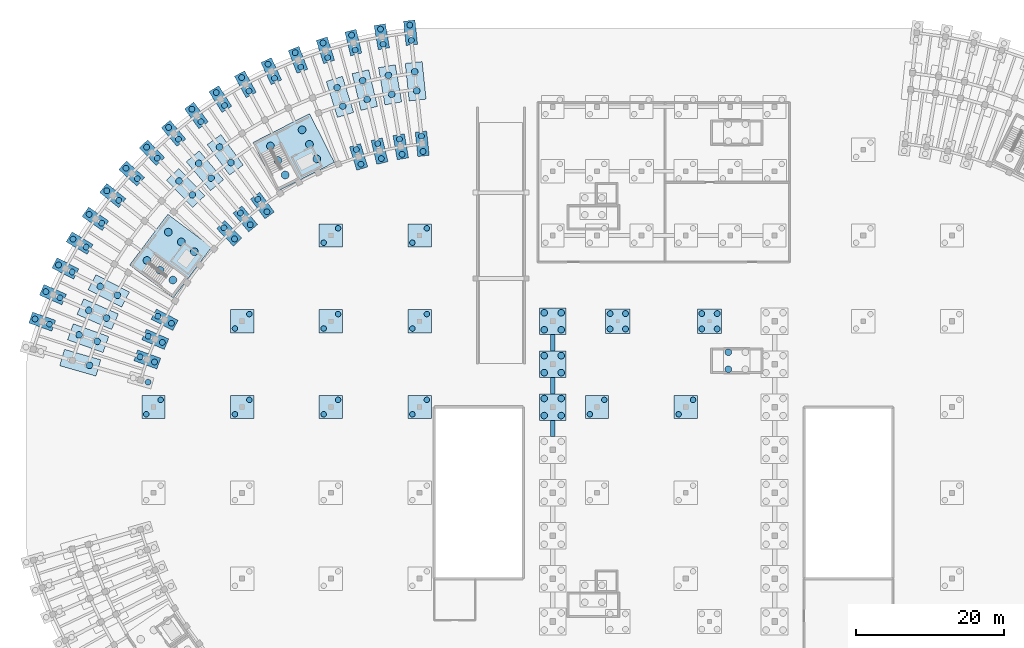
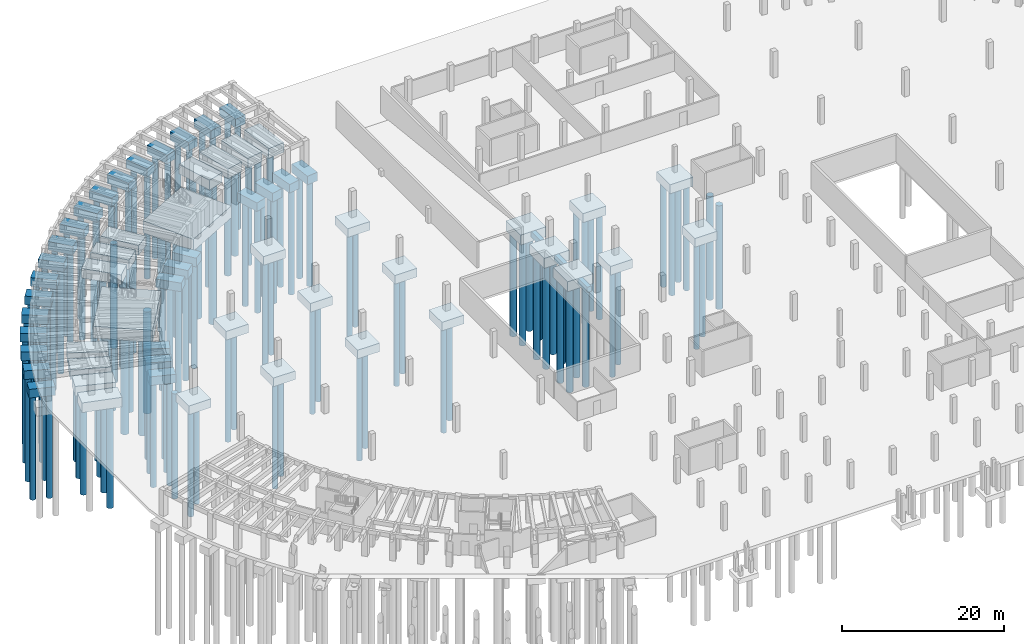
# One storey, part 3 of 29: 134 piles, 60 footings.
"""IFC4 building model written with IfcOpenShell, lengths in metres."""

from ifc_helpers import new_model, si_unit, direction, frame, origin, origin_2d, place, context, subcontext, project, spatial, rectangle, circle, extrude, material, material_profile, profile_set, type_object, element, save


model = new_model("IFC4")

# Units and contexts
model_context = context("Model", 3, precision=1e-05, world=origin(), true_north=direction((0.0, 1.0)))
body_context = subcontext(model_context, "Body", "Model", "MODEL_VIEW")
ifc_project = project(units=[si_unit("LENGTHUNIT", "METRE"), si_unit("AREAUNIT", "SQUARE_METRE"), si_unit("VOLUMEUNIT", "CUBIC_METRE"), si_unit("PLANEANGLEUNIT", "RADIAN"), si_unit("MASSUNIT", "GRAM", prefix="KILO")], contexts=[model_context])

# Site, building, storey
site_placement = place(None, origin())
site = spatial("IfcSite", under=ifc_project, at=site_placement, CompositionType="ELEMENT")
building_placement = place(site_placement, origin())
building = spatial("IfcBuilding", under=site, at=building_placement, Name="Tanwirah Colonnade Gardens", CompositionType="ELEMENT")
storey_placement = place(building_placement, frame((0.0, 0.0, -4.199951171875)))
storey = spatial("IfcBuildingStorey", under=building, at=storey_placement, Name="B1", CompositionType="ELEMENT", Elevation=-4.199951171875)

# Footings
ifc_material = material(Name="Concrete C45/55", Category="concrete")
ifc_material_profile_1 = material_profile(ifc_material, rectangle(XDim=0.60009765625, YDim=0.800048828125, at=origin_2d()), Name="GB-600x800")
ifc_profile_set_1 = profile_set([ifc_material_profile_1], Name="Concrete C45/55")
footing_type_1 = type_object("IfcFootingType", Name="GB-600x800", PredefinedType="FOOTING_BEAM", material=ifc_profile_set_1)
for number, where, z_axis, x_axis, name in (
    (1, (78.0, 64.800048828125, -0.85009765625), (0.0, 1.0, 0.0), (-1.0, 0.0, 0.0), "Ground tie beam GB-005"),
    (2, (78.0, 70.60009765625, -0.85009765625), (0.0, 1.0, 0.0), (-1.0, 0.0, 0.0), "Ground tie beam GB-006"),
):
    element("IfcFooting", number, at=place(storey_placement, frame(where, z_axis=z_axis, x_axis=x_axis)), inside=storey, type_object=footing_type_1, Name=name, PredefinedType="FOOTING_BEAM", context=body_context, shape_type="SweptSolid", body=[
        extrude(rectangle(XDim=0.60009765625, YDim=0.800048828125, at=origin_2d()), origin(), (0.0, 0.0, 1.0), 2.199951171875),
    ])
footing_placement = place(storey_placement, frame((78.0, 76.39990234375, -0.85009765625), z_axis=(0.0, 1.0, 0.0), x_axis=(-1.0, 0.0, 0.0)))
element("IfcFooting", 3, at=footing_placement, inside=storey, type_object=footing_type_1, Name="Ground tie beam GB-007", PredefinedType="FOOTING_BEAM", context=body_context, shape_type="SweptSolid", body=[
    extrude(rectangle(XDim=0.60009765625, YDim=0.800048828125, at=origin_2d()), origin(), (0.0, 0.0, 1.0), 2.2001953125),
])
footing_type_2 = type_object("IfcFootingType", Name="PC-2P80", PredefinedType="PILE_CAP", material=ifc_material)
for number, where, z_axis, x_axis, name in (
    (4, (60.353759765625, 104.406494140625, -1.75), (0.0, 0.0, 1.0), (-0.104528463268, 0.994521895368, 0.0), "Footing CAP-A-IN-00"),
    (5, (58.775390625, 119.423828125, -1.75), (0.0, 0.0, 1.0), (-0.104528463268, 0.994521895368, 0.0), "Footing CAP-A-OUT-00"),
    (6, (57.451171875, 104.00439453125, -1.75), (0.0, 0.0, 1.0), (-0.169827298811, 0.985473839622, 0.0), "Footing CAP-A-IN-01"),
    (7, (54.88671875, 118.885009765625, -1.75), (0.0, 0.0, 1.0), (-0.169827298811, 0.985473839622, 0.0), "Footing CAP-A-OUT-01"),
    (8, (54.58154296875, 103.411865234375, -1.75), (0.0, 0.0, 1.0), (-0.23438809799, 0.972143106503, 0.0), "Footing CAP-A-IN-02"),
    (9, (51.042236328125, 118.091064453125, -1.75), (0.0, 0.0, 1.0), (-0.23438809799, 0.972143106503, 0.0), "Footing CAP-A-OUT-02"),
    (10, (51.757080078125, 102.63134765625, -1.75), (0.0, 0.0, 1.0), (-0.297930292146, 0.954587628781, 0.0), "Footing CAP-A-IN-03"),
    (11, (47.25830078125, 117.045654296875, -1.75), (0.0, 0.0, 1.0), (-0.297930292146, 0.954587628781, 0.0), "Footing CAP-A-OUT-03"),
    (12, (43.551513671875, 115.753173828125, -1.75), (0.0, 0.0, 1.0), (-0.360177739278, 0.932883699144, 0.0), "Footing CAP-A-OUT-04"),
    (13, (39.937744140625, 114.21923828125, -1.75), (0.0, 0.0, 1.0), (-0.420859924104, 0.907125638643, 0.0), "Footing CAP-A-OUT-05"),
    (14, (36.43310546875, 112.45068359375, -1.75), (0.0, 0.0, 1.0), (-0.479713133669, 0.877425386791, 0.0), "Footing CAP-A-OUT-06"),
    (15, (33.052490234375, 110.455078125, -1.75), (0.0, 0.0, 1.0), (-0.536481603385, 0.843912015099, 0.0), "Footing CAP-A-OUT-07"),
    (16, (38.733642578125, 96.05908203125, -1.75), (0.0, 0.0, 1.0), (-0.590918628541, 0.806731166153, 0.0), "Footing CAP-A-IN-08"),
    (17, (29.810791015625, 108.24072265625, -1.75), (0.0, 0.0, 1.0), (-0.590918628541, 0.806731166153, 0.0), "Footing CAP-A-OUT-08"),
    (18, (36.427978515625, 94.250732421875, -1.75), (0.0, 0.0, 1.0), (-0.642787636427, 0.766044420681, 0.0), "Footing CAP-A-IN-09"),
    (19, (26.721923828125, 105.81787109375, -1.75), (0.0, 0.0, 1.0), (-0.642787636427, 0.766044420681, 0.0), "Footing CAP-A-OUT-09"),
    (20, (34.24658203125, 92.294189453125, -1.75), (0.0, 0.0, 1.0), (-0.691863214436, 0.722028595355, 0.0), "Footing CAP-A-IN-10"),
    (21, (23.799560546875, 103.19677734375, -1.75), (0.0, 0.0, 1.0), (-0.691863214436, 0.722028595355, 0.0), "Footing CAP-A-OUT-10"),
    (22, (21.05615234375, 100.388916015625, -1.75), (0.0, 0.0, 1.0), (-0.737932089665, 0.674874974378, 0.0), "Footing CAP-A-OUT-11"),
    (23, (18.503662109375, 97.40625, -1.75), (0.0, 0.0, 1.0), (-0.780794055756, 0.624788478204, 0.0), "Footing CAP-A-OUT-12"),
    (24, (16.1533203125, 94.26171875, -1.75), (0.0, 0.0, 1.0), (-0.82026284295, 0.57198677299, 0.0), "Footing CAP-A-OUT-13"),
    (25, (14.015380859375, 90.969482421875, -1.75), (0.0, 0.0, 1.0), (-0.856166927587, 0.516699324663, 0.0), "Footing CAP-A-OUT-14"),
    (26, (25.512939453125, 80.60986328125, -1.75), (0.0, 0.0, 1.0), (-0.888350277506, 0.459166401705, 0.0), "Footing CAP-A-IN-15"),
    (27, (12.0986328125, 87.54345703125, -1.75), (0.0, 0.0, 1.0), (-0.888350277506, 0.459166401705, 0.0), "Footing CAP-A-OUT-15"),
    (28, (24.25390625, 77.9638671875, -1.75), (0.0, 0.0, 1.0), (-0.916673030138, 0.399638030994, 0.0), "Footing CAP-A-IN-16"),
    (29, (10.412109375, 83.99853515625, -1.75), (0.0, 0.0, 1.0), (-0.916673030138, 0.399638030994, 0.0), "Footing CAP-A-OUT-16"),
    (30, (23.172119140625, 75.24072265625, -1.75), (0.0, 0.0, 1.0), (-0.941012100316, 0.338372911236, 0.0), "Footing CAP-A-IN-17"),
    (31, (8.962646484375, 80.35009765625, -1.75), (0.0, 0.0, 1.0), (-0.941012100316, 0.338372911236, 0.0), "Footing CAP-A-OUT-17"),
):
    element("IfcFooting", number, at=place(storey_placement, frame(where, z_axis=z_axis, x_axis=x_axis)), inside=storey, type_object=footing_type_2, Name=name, PredefinedType="PILE_CAP", context=body_context, shape_type="SweptSolid", body=[
        extrude(rectangle(XDim=3.300048828125, YDim=1.550048828125, at=origin_2d()), origin(), (0.0, 0.0, 1.0), 1.300048828125),
    ])
footing_type_3 = type_object("IfcFootingType", Name="PC-2P90B", PredefinedType="PILE_CAP", material=ifc_material)
for number, where, z_axis, x_axis, name in (
    (32, (59.46533203125, 112.85986328125, -1.89990234375), (0.0, 0.0, 1.0), (-0.104528463268, 0.994521895368, 0.0), "Footing CAP-A-MD-00"),
    (33, (56.007568359375, 112.380859375, -1.89990234375), (0.0, 0.0, 1.0), (-0.169827298811, 0.985473839622, 0.0), "Footing CAP-A-MD-01"),
    (34, (52.589111328125, 111.675048828125, -1.89990234375), (0.0, 0.0, 1.0), (-0.23438809799, 0.972143106503, 0.0), "Footing CAP-A-MD-02"),
    (35, (49.224609375, 110.745361328125, -1.89990234375), (0.0, 0.0, 1.0), (-0.297930292146, 0.954587628781, 0.0), "Footing CAP-A-MD-03"),
    (36, (33.7109375, 102.91650390625, -1.89990234375), (0.0, 0.0, 1.0), (-0.590918628541, 0.806731166153, 0.0), "Footing CAP-A-MD-08"),
    (37, (30.96435546875, 100.761962890625, -1.89990234375), (0.0, 0.0, 1.0), (-0.642787636427, 0.766044420681, 0.0), "Footing CAP-A-MD-09"),
    (38, (28.36572265625, 98.431396484375, -1.89990234375), (0.0, 0.0, 1.0), (-0.691863214436, 0.722028595355, 0.0), "Footing CAP-A-MD-10"),
    (39, (17.9619140625, 84.512939453125, -1.89990234375), (0.0, 0.0, 1.0), (-0.888350277506, 0.459166401705, 0.0), "Footing CAP-A-MD-15"),
    (40, (16.462158203125, 81.36083984375, -1.89990234375), (0.0, 0.0, 1.0), (-0.916673030138, 0.399638030994, 0.0), "Footing CAP-A-MD-16"),
    (41, (15.17333984375, 78.116943359375, -1.89990234375), (0.0, 0.0, 1.0), (-0.941012100316, 0.338372911236, 0.0), "Footing CAP-A-MD-17"),
    (42, (14.10107421875, 74.794921875, -1.89990234375), (0.0, 0.0, 1.0), (-0.961261715181, 0.275637288708, 0.0), "Footing CAP-A-MD-18"),
):
    element("IfcFooting", number, at=place(storey_placement, frame(where, z_axis=z_axis, x_axis=x_axis)), inside=storey, type_object=footing_type_3, Name=name, PredefinedType="PILE_CAP", context=body_context, shape_type="SweptSolid", body=[
        extrude(rectangle(XDim=5.10009765625, YDim=2.300048828125, at=origin_2d()), origin(), (0.0, 0.0, 1.0), 1.449951171875),
    ])
footing_type_4 = type_object("IfcFootingType", Name="PC-4P75", PredefinedType="PILE_CAP", material=ifc_material)
for number, where, z_axis, x_axis, name in (
    (43, (24.0, 68.800048828125, -1.75), (0.0, 0.0, 1.0), (1.0, 0.0, 0.0), "Footing CAP-B1G-24-11"),
    (44, (36.0, 68.800048828125, -1.75), (0.0, 0.0, 1.0), (1.0, 0.0, 0.0), "Footing CAP-B1G-36-11"),
    (45, (36.0, 80.39990234375, -1.75), (0.0, 0.0, 1.0), (1.0, 0.0, 0.0), "Footing CAP-B1G-36-13"),
    (46, (48.0, 68.800048828125, -1.75), (0.0, 0.0, 1.0), (1.0, 0.0, 0.0), "Footing CAP-B1G-48-11"),
    (47, (48.0, 80.39990234375, -1.75), (0.0, 0.0, 1.0), (1.0, 0.0, 0.0), "Footing CAP-B1G-48-13"),
    (48, (48.0, 92.0, -1.75), (0.0, 0.0, 1.0), (1.0, 0.0, 0.0), "Footing CAP-B1G-48-15"),
    (49, (60.0, 68.800048828125, -1.75), (0.0, 0.0, 1.0), (1.0, 0.0, 0.0), "Footing CAP-B1G-60-11"),
    (50, (60.0, 80.39990234375, -1.75), (0.0, 0.0, 1.0), (1.0, 0.0, 0.0), "Footing CAP-B1G-60-13"),
    (51, (60.0, 92.0, -1.75), (0.0, 0.0, 1.0), (1.0, 0.0, 0.0), "Footing CAP-B1G-60-15"),
    (52, (84.0, 68.800048828125, -1.75), (0.0, 0.0, 1.0), (1.0, 0.0, 0.0), "Footing CAP-B1G-84-11"),
    (53, (96.0, 68.800048828125, -1.75), (0.0, 0.0, 1.0), (1.0, 0.0, 0.0), "Footing CAP-B1G-96-11"),
):
    element("IfcFooting", number, at=place(storey_placement, frame(where, z_axis=z_axis, x_axis=x_axis)), inside=storey, type_object=footing_type_4, Name=name, PredefinedType="PILE_CAP", context=body_context, shape_type="SweptSolid", body=[
        extrude(rectangle(XDim=3.14990234375, YDim=3.14990234375, at=origin_2d()), origin(), (0.0, 0.0, 1.0), 1.300048828125),
    ])
footing_type_5 = type_object("IfcFootingType", Name="PC-4P80", PredefinedType="PILE_CAP", material=ifc_material)
for number, where, z_axis, x_axis, name in (
    (54, (86.800048828125, 80.39990234375, -1.800048828125), (0.0, 0.0, 1.0), (1.0, 0.0, 0.0), "Footing CAP-HALL-1-7"),
    (55, (99.199951171875, 80.39990234375, -1.800048828125), (0.0, 0.0, 1.0), (1.0, 0.0, 0.0), "Footing CAP-HALL-2-7"),
):
    element("IfcFooting", number, at=place(storey_placement, frame(where, z_axis=z_axis, x_axis=x_axis)), inside=storey, type_object=footing_type_5, Name=name, PredefinedType="PILE_CAP", context=body_context, shape_type="SweptSolid", body=[
        extrude(rectangle(XDim=3.300048828125, YDim=3.300048828125, at=origin_2d()), origin(), (0.0, 0.0, 1.0), 1.35009765625),
    ])
footing_type_6 = type_object("IfcFootingType", Name="PC-4P90", PredefinedType="PILE_CAP", material=ifc_material)
for number, where, z_axis, x_axis, name in (
    (56, (78.0, 68.800048828125, -1.949951171875), (0.0, 0.0, 1.0), (1.0, 0.0, 0.0), "Footing CAP-HALL-0-5"),
    (57, (78.0, 74.60009765625, -1.949951171875), (0.0, 0.0, 1.0), (1.0, 0.0, 0.0), "Footing CAP-HALL-0-6"),
    (58, (78.0, 80.39990234375, -1.949951171875), (0.0, 0.0, 1.0), (1.0, 0.0, 0.0), "Footing CAP-HALL-0-7"),
):
    element("IfcFooting", number, at=place(storey_placement, frame(where, z_axis=z_axis, x_axis=x_axis)), inside=storey, type_object=footing_type_6, Name=name, PredefinedType="PILE_CAP", context=body_context, shape_type="SweptSolid", body=[
        extrude(rectangle(XDim=3.60009765625, YDim=3.60009765625, at=origin_2d()), origin(), (0.0, 0.0, 1.0), 1.5),
    ])
footing_type_7 = type_object("IfcFootingType", Name="PC-COREA", PredefinedType="PILE_CAP", material=ifc_material)
for number, where, z_axis, x_axis, name in (
    (59, (42.96044921875, 103.23486328125, -2.25), (0.0, 0.0, 1.0), (0.45399049974, -0.891006524188, 0.0), "Footing CAP-CORE-A1"),
    (60, (26.32568359375, 89.2177734375, -2.25), (0.0, 0.0, 1.0), (0.798635510047, -0.601815023152, 0.0), "Footing CAP-CORE-A2"),
):
    element("IfcFooting", number, at=place(storey_placement, frame(where, z_axis=z_axis, x_axis=x_axis)), inside=storey, type_object=footing_type_7, Name=name, PredefinedType="PILE_CAP", context=body_context, shape_type="SweptSolid", body=[
        extrude(rectangle(XDim=7.39990234375, YDim=8.60009765625, at=origin_2d()), origin(), (0.0, 0.0, 1.0), 1.800048828125),
    ])

# Piles
ifc_material_profile_2 = material_profile(ifc_material, circle(Radius=0.52490234375, at=origin_2d()), Name="PILE D1050")
ifc_profile_set_2 = profile_set([ifc_material_profile_2], Name="Concrete C45/55")
pile_type_1 = type_object("IfcPileType", Name="PILE-D1050", PredefinedType="BORED", material=ifc_profile_set_2)
for number, where, z_axis, x_axis, name in (
    (61, (39.8232421875, 104.10546875, -2.130126953125), (0.0, 0.0, -1.0), (1.0, 0.0, 0.0), "Bored pile CAP-CORE-A1-P1"),
    (62, (40.822021484375, 102.145263671875, -2.130126953125), (0.0, 0.0, -1.0), (1.0, 0.0, 0.0), "Bored pile CAP-CORE-A1-P2"),
    (63, (41.82080078125, 100.18505859375, -2.130126953125), (0.0, 0.0, -1.0), (1.0, 0.0, 0.0), "Bored pile CAP-CORE-A1-P3"),
    (64, (44.10009765625, 106.28466796875, -2.130126953125), (0.0, 0.0, -1.0), (1.0, 0.0, 0.0), "Bored pile CAP-CORE-A1-P4"),
    (65, (45.098876953125, 104.324462890625, -2.130126953125), (0.0, 0.0, -1.0), (1.0, 0.0, 0.0), "Bored pile CAP-CORE-A1-P5"),
    (66, (46.09765625, 102.364013671875, -2.130126953125), (0.0, 0.0, -1.0), (1.0, 0.0, 0.0), "Bored pile CAP-CORE-A1-P6"),
    (67, (23.12451171875, 88.625244140625, -2.130126953125), (0.0, 0.0, -1.0), (1.0, 0.0, 0.0), "Bored pile CAP-CORE-A2-P1"),
    (68, (24.88134765625, 87.30126953125, -2.130126953125), (0.0, 0.0, -1.0), (1.0, 0.0, 0.0), "Bored pile CAP-CORE-A2-P2"),
    (69, (26.638427734375, 85.977294921875, -2.130126953125), (0.0, 0.0, -1.0), (1.0, 0.0, 0.0), "Bored pile CAP-CORE-A2-P3"),
    (70, (26.01318359375, 92.45849609375, -2.130126953125), (0.0, 0.0, -1.0), (1.0, 0.0, 0.0), "Bored pile CAP-CORE-A2-P4"),
    (71, (27.770263671875, 91.134521484375, -2.130126953125), (0.0, 0.0, -1.0), (1.0, 0.0, 0.0), "Bored pile CAP-CORE-A2-P5"),
    (72, (29.527099609375, 89.810546875, -2.130126953125), (0.0, 0.0, -1.0), (1.0, 0.0, 0.0), "Bored pile CAP-CORE-A2-P6"),
):
    element("IfcPile", number, at=place(storey_placement, frame(where, z_axis=z_axis, x_axis=x_axis)), inside=storey, type_object=pile_type_1, Name=name, PredefinedType="BORED", context=body_context, shape_type="SweptSolid", body=[
        extrude(circle(Radius=0.52490234375, at=origin_2d()), origin(), (0.0, 0.0, 1.0), 15.320068359375),
    ])
ifc_material_profile_3 = material_profile(ifc_material, circle(Radius=0.375, at=origin_2d()), Name="PILE D750")
ifc_profile_set_3 = profile_set([ifc_material_profile_3], Name="Concrete C45/55")
pile_type_2 = type_object("IfcPileType", Name="PILE-D750", PredefinedType="BORED", material=ifc_profile_set_3)
for number, where, z_axis, x_axis, name in (
    (73, (23.02490234375, 67.824951171875, -1.630126953125), (0.0, 0.0, -1.0), (1.0, 0.0, 0.0), "Bored pile CAP-B1G-24-11-P1"),
    (74, (24.97509765625, 69.77490234375, -1.630126953125), (0.0, 0.0, -1.0), (1.0, 0.0, 0.0), "Bored pile CAP-B1G-24-11-P2"),
    (75, (35.02490234375, 67.824951171875, -1.630126953125), (0.0, 0.0, -1.0), (1.0, 0.0, 0.0), "Bored pile CAP-B1G-36-11-P1"),
    (76, (36.97509765625, 69.77490234375, -1.630126953125), (0.0, 0.0, -1.0), (1.0, 0.0, 0.0), "Bored pile CAP-B1G-36-11-P2"),
    (77, (35.02490234375, 79.425048828125, -1.630126953125), (0.0, 0.0, -1.0), (1.0, 0.0, 0.0), "Bored pile CAP-B1G-36-13-P1"),
    (78, (36.97509765625, 81.375, -1.630126953125), (0.0, 0.0, -1.0), (1.0, 0.0, 0.0), "Bored pile CAP-B1G-36-13-P2"),
    (79, (47.02490234375, 67.824951171875, -1.630126953125), (0.0, 0.0, -1.0), (1.0, 0.0, 0.0), "Bored pile CAP-B1G-48-11-P1"),
    (80, (48.97509765625, 69.77490234375, -1.630126953125), (0.0, 0.0, -1.0), (1.0, 0.0, 0.0), "Bored pile CAP-B1G-48-11-P2"),
    (81, (47.02490234375, 79.425048828125, -1.630126953125), (0.0, 0.0, -1.0), (1.0, 0.0, 0.0), "Bored pile CAP-B1G-48-13-P1"),
    (82, (48.97509765625, 81.375, -1.630126953125), (0.0, 0.0, -1.0), (1.0, 0.0, 0.0), "Bored pile CAP-B1G-48-13-P2"),
    (83, (47.02490234375, 91.02490234375, -1.630126953125), (0.0, 0.0, -1.0), (1.0, 0.0, 0.0), "Bored pile CAP-B1G-48-15-P1"),
    (84, (48.97509765625, 92.97509765625, -1.630126953125), (0.0, 0.0, -1.0), (1.0, 0.0, 0.0), "Bored pile CAP-B1G-48-15-P2"),
    (85, (59.02490234375, 67.824951171875, -1.630126953125), (0.0, 0.0, -1.0), (1.0, 0.0, 0.0), "Bored pile CAP-B1G-60-11-P1"),
    (86, (60.97509765625, 69.77490234375, -1.630126953125), (0.0, 0.0, -1.0), (1.0, 0.0, 0.0), "Bored pile CAP-B1G-60-11-P2"),
    (87, (59.02490234375, 79.425048828125, -1.630126953125), (0.0, 0.0, -1.0), (1.0, 0.0, 0.0), "Bored pile CAP-B1G-60-13-P1"),
    (88, (60.97509765625, 81.375, -1.630126953125), (0.0, 0.0, -1.0), (1.0, 0.0, 0.0), "Bored pile CAP-B1G-60-13-P2"),
    (89, (59.02490234375, 91.02490234375, -1.630126953125), (0.0, 0.0, -1.0), (1.0, 0.0, 0.0), "Bored pile CAP-B1G-60-15-P1"),
    (90, (60.97509765625, 92.97509765625, -1.630126953125), (0.0, 0.0, -1.0), (1.0, 0.0, 0.0), "Bored pile CAP-B1G-60-15-P2"),
    (91, (83.02490234375, 67.824951171875, -1.630126953125), (0.0, 0.0, -1.0), (1.0, 0.0, 0.0), "Bored pile CAP-B1G-84-11-P1"),
    (92, (84.97509765625, 69.77490234375, -1.630126953125), (0.0, 0.0, -1.0), (1.0, 0.0, 0.0), "Bored pile CAP-B1G-84-11-P2"),
    (93, (95.02490234375, 67.824951171875, -1.630126953125), (0.0, 0.0, -1.0), (1.0, 0.0, 0.0), "Bored pile CAP-B1G-96-11-P1"),
    (94, (96.97509765625, 69.77490234375, -1.630126953125), (0.0, 0.0, -1.0), (1.0, 0.0, 0.0), "Bored pile CAP-B1G-96-11-P2"),
):
    element("IfcPile", number, at=place(storey_placement, frame(where, z_axis=z_axis, x_axis=x_axis)), inside=storey, type_object=pile_type_2, Name=name, PredefinedType="BORED", context=body_context, shape_type="SweptSolid", body=[
        extrude(circle(Radius=0.375, at=origin_2d()), origin(), (0.0, 0.0, 1.0), 15.820068359375),
    ])
ifc_material_profile_4 = material_profile(ifc_material, circle(Radius=0.39990234375, at=origin_2d()), Name="PILE D800")
ifc_profile_set_4 = profile_set([ifc_material_profile_4], Name="Concrete C45/55")
pile_type_3 = type_object("IfcPileType", Name="PILE-D800", PredefinedType="BORED", material=ifc_profile_set_4)
for number, where, z_axis, x_axis, name in (
    (95, (60.46240234375, 103.372314453125, -1.630126953125), (0.0, 0.0, -1.0), (1.0, 0.0, 0.0), "Bored pile CAP-A-IN-00-P1"),
    (96, (60.2451171875, 105.44091796875, -1.630126953125), (0.0, 0.0, -1.0), (1.0, 0.0, 0.0), "Bored pile CAP-A-IN-00-P2"),
    (97, (58.884033203125, 118.389404296875, -1.630126953125), (0.0, 0.0, -1.0), (1.0, 0.0, 0.0), "Bored pile CAP-A-OUT-00-P1"),
    (98, (58.66650390625, 120.4580078125, -1.630126953125), (0.0, 0.0, -1.0), (1.0, 0.0, 0.0), "Bored pile CAP-A-OUT-00-P2"),
    (99, (57.627685546875, 102.9794921875, -1.630126953125), (0.0, 0.0, -1.0), (1.0, 0.0, 0.0), "Bored pile CAP-A-IN-01-P1"),
    (100, (57.274658203125, 105.029296875, -1.630126953125), (0.0, 0.0, -1.0), (1.0, 0.0, 0.0), "Bored pile CAP-A-IN-01-P2"),
    (101, (55.0634765625, 117.860107421875, -1.630126953125), (0.0, 0.0, -1.0), (1.0, 0.0, 0.0), "Bored pile CAP-A-OUT-01-P1"),
    (102, (54.710205078125, 119.909912109375, -1.630126953125), (0.0, 0.0, -1.0), (1.0, 0.0, 0.0), "Bored pile CAP-A-OUT-01-P2"),
    (103, (54.8251953125, 102.400634765625, -1.630126953125), (0.0, 0.0, -1.0), (1.0, 0.0, 0.0), "Bored pile CAP-A-IN-02-P1"),
    (104, (54.337646484375, 104.4228515625, -1.630126953125), (0.0, 0.0, -1.0), (1.0, 0.0, 0.0), "Bored pile CAP-A-IN-02-P2"),
    (105, (51.285888671875, 117.080078125, -1.630126953125), (0.0, 0.0, -1.0), (1.0, 0.0, 0.0), "Bored pile CAP-A-OUT-02-P1"),
    (106, (50.79833984375, 119.10205078125, -1.630126953125), (0.0, 0.0, -1.0), (1.0, 0.0, 0.0), "Bored pile CAP-A-OUT-02-P2"),
    (107, (52.06689453125, 101.638671875, -1.630126953125), (0.0, 0.0, -1.0), (1.0, 0.0, 0.0), "Bored pile CAP-A-IN-03-P1"),
    (108, (51.447265625, 103.624267578125, -1.630126953125), (0.0, 0.0, -1.0), (1.0, 0.0, 0.0), "Bored pile CAP-A-IN-03-P2"),
    (109, (47.568115234375, 116.052978515625, -1.630126953125), (0.0, 0.0, -1.0), (1.0, 0.0, 0.0), "Bored pile CAP-A-OUT-03-P1"),
    (110, (46.948486328125, 118.03857421875, -1.630126953125), (0.0, 0.0, -1.0), (1.0, 0.0, 0.0), "Bored pile CAP-A-OUT-03-P2"),
    (111, (43.926025390625, 114.782958984375, -1.630126953125), (0.0, 0.0, -1.0), (1.0, 0.0, 0.0), "Bored pile CAP-A-OUT-04-P1"),
    (112, (43.1767578125, 116.723388671875, -1.630126953125), (0.0, 0.0, -1.0), (1.0, 0.0, 0.0), "Bored pile CAP-A-OUT-04-P2"),
    (113, (40.37548828125, 113.27587890625, -1.630126953125), (0.0, 0.0, -1.0), (1.0, 0.0, 0.0), "Bored pile CAP-A-OUT-05-P1"),
    (114, (39.5, 115.162841796875, -1.630126953125), (0.0, 0.0, -1.0), (1.0, 0.0, 0.0), "Bored pile CAP-A-OUT-05-P2"),
    (115, (36.931884765625, 111.5380859375, -1.630126953125), (0.0, 0.0, -1.0), (1.0, 0.0, 0.0), "Bored pile CAP-A-OUT-06-P1"),
    (116, (35.93408203125, 113.36328125, -1.630126953125), (0.0, 0.0, -1.0), (1.0, 0.0, 0.0), "Bored pile CAP-A-OUT-06-P2"),
    (117, (33.6103515625, 109.577392578125, -1.630126953125), (0.0, 0.0, -1.0), (1.0, 0.0, 0.0), "Bored pile CAP-A-OUT-07-P1"),
    (118, (32.49462890625, 111.33251953125, -1.630126953125), (0.0, 0.0, -1.0), (1.0, 0.0, 0.0), "Bored pile CAP-A-OUT-07-P2"),
    (119, (39.34814453125, 95.22021484375, -1.630126953125), (0.0, 0.0, -1.0), (1.0, 0.0, 0.0), "Bored pile CAP-A-IN-08-P1"),
    (120, (38.119140625, 96.898193359375, -1.630126953125), (0.0, 0.0, -1.0), (1.0, 0.0, 0.0), "Bored pile CAP-A-IN-08-P2"),
    (121, (30.42529296875, 107.40185546875, -1.630126953125), (0.0, 0.0, -1.0), (1.0, 0.0, 0.0), "Bored pile CAP-A-OUT-08-P1"),
    (122, (29.1962890625, 109.079833984375, -1.630126953125), (0.0, 0.0, -1.0), (1.0, 0.0, 0.0), "Bored pile CAP-A-OUT-08-P2"),
    (123, (37.0966796875, 93.4541015625, -1.630126953125), (0.0, 0.0, -1.0), (1.0, 0.0, 0.0), "Bored pile CAP-A-IN-09-P1"),
    (124, (35.759521484375, 95.04736328125, -1.630126953125), (0.0, 0.0, -1.0), (1.0, 0.0, 0.0), "Bored pile CAP-A-IN-09-P2"),
    (125, (27.390380859375, 105.021240234375, -1.630126953125), (0.0, 0.0, -1.0), (1.0, 0.0, 0.0), "Bored pile CAP-A-OUT-09-P1"),
    (126, (26.053466796875, 106.61474609375, -1.630126953125), (0.0, 0.0, -1.0), (1.0, 0.0, 0.0), "Bored pile CAP-A-OUT-09-P2"),
    (127, (34.96630859375, 91.543212890625, -1.630126953125), (0.0, 0.0, -1.0), (1.0, 0.0, 0.0), "Bored pile CAP-A-IN-10-P1"),
    (128, (33.527099609375, 93.045166015625, -1.630126953125), (0.0, 0.0, -1.0), (1.0, 0.0, 0.0), "Bored pile CAP-A-IN-10-P2"),
    (129, (24.51904296875, 102.44580078125, -1.630126953125), (0.0, 0.0, -1.0), (1.0, 0.0, 0.0), "Bored pile CAP-A-OUT-10-P1"),
    (130, (23.080078125, 103.94775390625, -1.630126953125), (0.0, 0.0, -1.0), (1.0, 0.0, 0.0), "Bored pile CAP-A-OUT-10-P2"),
    (131, (21.823486328125, 99.68701171875, -1.630126953125), (0.0, 0.0, -1.0), (1.0, 0.0, 0.0), "Bored pile CAP-A-OUT-11-P1"),
    (132, (20.28857421875, 101.090576171875, -1.630126953125), (0.0, 0.0, -1.0), (1.0, 0.0, 0.0), "Bored pile CAP-A-OUT-11-P2"),
    (133, (19.315673828125, 96.75634765625, -1.630126953125), (0.0, 0.0, -1.0), (1.0, 0.0, 0.0), "Bored pile CAP-A-OUT-12-P1"),
    (134, (17.691650390625, 98.055908203125, -1.630126953125), (0.0, 0.0, -1.0), (1.0, 0.0, 0.0), "Bored pile CAP-A-OUT-12-P2"),
    (135, (17.00634765625, 93.6669921875, -1.630126953125), (0.0, 0.0, -1.0), (1.0, 0.0, 0.0), "Bored pile CAP-A-OUT-13-P1"),
    (136, (15.30029296875, 94.856689453125, -1.630126953125), (0.0, 0.0, -1.0), (1.0, 0.0, 0.0), "Bored pile CAP-A-OUT-13-P2"),
    (137, (14.90576171875, 90.43212890625, -1.630126953125), (0.0, 0.0, -1.0), (1.0, 0.0, 0.0), "Bored pile CAP-A-OUT-14-P1"),
    (138, (13.124755859375, 91.5068359375, -1.630126953125), (0.0, 0.0, -1.0), (1.0, 0.0, 0.0), "Bored pile CAP-A-OUT-14-P2"),
    (139, (26.436767578125, 80.13232421875, -1.630126953125), (0.0, 0.0, -1.0), (1.0, 0.0, 0.0), "Bored pile CAP-A-IN-15-P1"),
    (140, (24.5888671875, 81.08740234375, -1.630126953125), (0.0, 0.0, -1.0), (1.0, 0.0, 0.0), "Bored pile CAP-A-IN-15-P2"),
    (141, (13.022705078125, 87.06591796875, -1.630126953125), (0.0, 0.0, -1.0), (1.0, 0.0, 0.0), "Bored pile CAP-A-OUT-15-P1"),
    (142, (11.1748046875, 88.02099609375, -1.630126953125), (0.0, 0.0, -1.0), (1.0, 0.0, 0.0), "Bored pile CAP-A-OUT-15-P2"),
    (143, (25.207275390625, 77.54833984375, -1.630126953125), (0.0, 0.0, -1.0), (1.0, 0.0, 0.0), "Bored pile CAP-A-IN-16-P1"),
    (144, (23.300537109375, 78.379638671875, -1.630126953125), (0.0, 0.0, -1.0), (1.0, 0.0, 0.0), "Bored pile CAP-A-IN-16-P2"),
    (145, (11.365478515625, 83.582763671875, -1.630126953125), (0.0, 0.0, -1.0), (1.0, 0.0, 0.0), "Bored pile CAP-A-OUT-16-P1"),
    (146, (9.458740234375, 84.4140625, -1.630126953125), (0.0, 0.0, -1.0), (1.0, 0.0, 0.0), "Bored pile CAP-A-OUT-16-P2"),
    (147, (24.150634765625, 74.888671875, -1.630126953125), (0.0, 0.0, -1.0), (1.0, 0.0, 0.0), "Bored pile CAP-A-IN-17-P1"),
    (148, (22.193359375, 75.592529296875, -1.630126953125), (0.0, 0.0, -1.0), (1.0, 0.0, 0.0), "Bored pile CAP-A-IN-17-P2"),
    (149, (9.94140625, 79.998291015625, -1.630126953125), (0.0, 0.0, -1.0), (1.0, 0.0, 0.0), "Bored pile CAP-A-OUT-17-P1"),
    (150, (7.984130859375, 80.701904296875, -1.630126953125), (0.0, 0.0, -1.0), (1.0, 0.0, 0.0), "Bored pile CAP-A-OUT-17-P2"),
    (151, (23.271728515625, 72.16552734375, -1.630126953125), (0.0, 0.0, -1.0), (1.0, 0.0, 0.0), "Bored pile CAP-A-IN-18-P1"),
):
    element("IfcPile", number, at=place(storey_placement, frame(where, z_axis=z_axis, x_axis=x_axis)), inside=storey, type_object=pile_type_3, Name=name, PredefinedType="BORED", context=body_context, shape_type="SweptSolid", body=[
        extrude(circle(Radius=0.39990234375, at=origin_2d()), origin(), (0.0, 0.0, 1.0), 15.820068359375),
    ])
for number, where, z_axis, x_axis, name in (
    (152, (85.760009765625, 79.360107421875, -1.679931640625), (0.0, 0.0, -1.0), (1.0, 0.0, 0.0), "Bored pile CAP-HALL-1-7-P1"),
    (153, (87.840087890625, 79.360107421875, -1.679931640625), (0.0, 0.0, -1.0), (1.0, 0.0, 0.0), "Bored pile CAP-HALL-1-7-P2"),
    (154, (85.760009765625, 81.43994140625, -1.679931640625), (0.0, 0.0, -1.0), (1.0, 0.0, 0.0), "Bored pile CAP-HALL-1-7-P3"),
    (155, (87.840087890625, 81.43994140625, -1.679931640625), (0.0, 0.0, -1.0), (1.0, 0.0, 0.0), "Bored pile CAP-HALL-1-7-P4"),
    (156, (98.159912109375, 79.360107421875, -1.679931640625), (0.0, 0.0, -1.0), (1.0, 0.0, 0.0), "Bored pile CAP-HALL-2-7-P1"),
    (157, (100.239990234375, 79.360107421875, -1.679931640625), (0.0, 0.0, -1.0), (1.0, 0.0, 0.0), "Bored pile CAP-HALL-2-7-P2"),
    (158, (98.159912109375, 81.43994140625, -1.679931640625), (0.0, 0.0, -1.0), (1.0, 0.0, 0.0), "Bored pile CAP-HALL-2-7-P3"),
    (159, (100.239990234375, 81.43994140625, -1.679931640625), (0.0, 0.0, -1.0), (1.0, 0.0, 0.0), "Bored pile CAP-HALL-2-7-P4"),
):
    element("IfcPile", number, at=place(storey_placement, frame(where, z_axis=z_axis, x_axis=x_axis)), inside=storey, type_object=pile_type_3, Name=name, PredefinedType="BORED", context=body_context, shape_type="SweptSolid", body=[
        extrude(circle(Radius=0.39990234375, at=origin_2d()), origin(), (0.0, 0.0, 1.0), 15.77001953125),
    ])
ifc_material_profile_5 = material_profile(ifc_material, circle(Radius=0.449951171875, at=origin_2d()), Name="PILE D900")
ifc_profile_set_5 = profile_set([ifc_material_profile_5], Name="Concrete C45/55")
pile_type_4 = type_object("IfcPileType", Name="PILE-D900", PredefinedType="BORED", material=ifc_profile_set_5)
for number, where, z_axis, x_axis, name in (
    (160, (101.75, 73.909912109375, -1.830078125), (0.0, 0.0, -1.0), (1.0, 0.0, 0.0), "Bored pile CAP-CORE-H2-P1"),
    (161, (101.75, 76.2099609375, -1.830078125), (0.0, 0.0, -1.0), (1.0, 0.0, 0.0), "Bored pile CAP-CORE-H2-P3"),
):
    element("IfcPile", number, at=place(storey_placement, frame(where, z_axis=z_axis, x_axis=x_axis)), inside=storey, type_object=pile_type_4, Name=name, PredefinedType="BORED", context=body_context, shape_type="SweptSolid", body=[
        extrude(circle(Radius=0.449951171875, at=origin_2d()), origin(), (0.0, 0.0, 1.0), 15.6201171875),
    ])
for number, where, z_axis, x_axis, name in (
    (162, (59.60107421875, 111.567138671875, -1.780029296875), (0.0, 0.0, -1.0), (1.0, 0.0, 0.0), "Bored pile CAP-A-MD-00-P1"),
    (163, (59.329345703125, 114.15283203125, -1.780029296875), (0.0, 0.0, -1.0), (1.0, 0.0, 0.0), "Bored pile CAP-A-MD-00-P2"),
    (164, (56.228515625, 111.099609375, -1.780029296875), (0.0, 0.0, -1.0), (1.0, 0.0, 0.0), "Bored pile CAP-A-MD-01-P1"),
    (165, (55.786865234375, 113.661865234375, -1.780029296875), (0.0, 0.0, -1.0), (1.0, 0.0, 0.0), "Bored pile CAP-A-MD-01-P2"),
    (166, (52.893798828125, 110.4111328125, -1.780029296875), (0.0, 0.0, -1.0), (1.0, 0.0, 0.0), "Bored pile CAP-A-MD-02-P1"),
    (167, (52.284423828125, 112.938720703125, -1.780029296875), (0.0, 0.0, -1.0), (1.0, 0.0, 0.0), "Bored pile CAP-A-MD-02-P2"),
    (168, (49.61181640625, 109.50439453125, -1.780029296875), (0.0, 0.0, -1.0), (1.0, 0.0, 0.0), "Bored pile CAP-A-MD-03-P1"),
    (169, (48.83740234375, 111.986328125, -1.780029296875), (0.0, 0.0, -1.0), (1.0, 0.0, 0.0), "Bored pile CAP-A-MD-03-P2"),
    (170, (34.47900390625, 101.86767578125, -1.780029296875), (0.0, 0.0, -1.0), (1.0, 0.0, 0.0), "Bored pile CAP-A-MD-08-P1"),
    (171, (32.942626953125, 103.965087890625, -1.780029296875), (0.0, 0.0, -1.0), (1.0, 0.0, 0.0), "Bored pile CAP-A-MD-08-P2"),
    (172, (31.800048828125, 99.76611328125, -1.780029296875), (0.0, 0.0, -1.0), (1.0, 0.0, 0.0), "Bored pile CAP-A-MD-09-P1"),
    (173, (30.128662109375, 101.7578125, -1.780029296875), (0.0, 0.0, -1.0), (1.0, 0.0, 0.0), "Bored pile CAP-A-MD-09-P2"),
    (174, (29.265380859375, 97.49267578125, -1.780029296875), (0.0, 0.0, -1.0), (1.0, 0.0, 0.0), "Bored pile CAP-A-MD-10-P1"),
    (175, (27.46630859375, 99.3701171875, -1.780029296875), (0.0, 0.0, -1.0), (1.0, 0.0, 0.0), "Bored pile CAP-A-MD-10-P2"),
    (176, (19.11669921875, 83.916015625, -1.780029296875), (0.0, 0.0, -1.0), (1.0, 0.0, 0.0), "Bored pile CAP-A-MD-15-P1"),
    (177, (16.806884765625, 85.10986328125, -1.780029296875), (0.0, 0.0, -1.0), (1.0, 0.0, 0.0), "Bored pile CAP-A-MD-15-P2"),
    (178, (17.65380859375, 80.84130859375, -1.780029296875), (0.0, 0.0, -1.0), (1.0, 0.0, 0.0), "Bored pile CAP-A-MD-16-P1"),
    (179, (15.2705078125, 81.88037109375, -1.780029296875), (0.0, 0.0, -1.0), (1.0, 0.0, 0.0), "Bored pile CAP-A-MD-16-P2"),
    (180, (16.396728515625, 77.677001953125, -1.780029296875), (0.0, 0.0, -1.0), (1.0, 0.0, 0.0), "Bored pile CAP-A-MD-17-P1"),
    (181, (13.9501953125, 78.556640625, -1.780029296875), (0.0, 0.0, -1.0), (1.0, 0.0, 0.0), "Bored pile CAP-A-MD-17-P2"),
    (182, (15.350830078125, 74.436767578125, -1.780029296875), (0.0, 0.0, -1.0), (1.0, 0.0, 0.0), "Bored pile CAP-A-MD-18-P1"),
):
    element("IfcPile", number, at=place(storey_placement, frame(where, z_axis=z_axis, x_axis=x_axis)), inside=storey, type_object=pile_type_4, Name=name, PredefinedType="BORED", context=body_context, shape_type="SweptSolid", body=[
        extrude(circle(Radius=0.449951171875, at=origin_2d()), origin(), (0.0, 0.0, 1.0), 15.669921875),
    ])
for number, where, z_axis, x_axis, name in (
    (183, (76.85009765625, 67.64990234375, -1.830078125), (0.0, 0.0, -1.0), (1.0, 0.0, 0.0), "Bored pile CAP-HALL-0-5-P1"),
    (184, (79.14990234375, 67.64990234375, -1.830078125), (0.0, 0.0, -1.0), (1.0, 0.0, 0.0), "Bored pile CAP-HALL-0-5-P2"),
    (185, (76.85009765625, 69.949951171875, -1.830078125), (0.0, 0.0, -1.0), (1.0, 0.0, 0.0), "Bored pile CAP-HALL-0-5-P3"),
    (186, (79.14990234375, 69.949951171875, -1.830078125), (0.0, 0.0, -1.0), (1.0, 0.0, 0.0), "Bored pile CAP-HALL-0-5-P4"),
    (187, (76.85009765625, 73.449951171875, -1.830078125), (0.0, 0.0, -1.0), (1.0, 0.0, 0.0), "Bored pile CAP-HALL-0-6-P1"),
    (188, (79.14990234375, 73.449951171875, -1.830078125), (0.0, 0.0, -1.0), (1.0, 0.0, 0.0), "Bored pile CAP-HALL-0-6-P2"),
    (189, (76.85009765625, 75.75, -1.830078125), (0.0, 0.0, -1.0), (1.0, 0.0, 0.0), "Bored pile CAP-HALL-0-6-P3"),
    (190, (79.14990234375, 75.75, -1.830078125), (0.0, 0.0, -1.0), (1.0, 0.0, 0.0), "Bored pile CAP-HALL-0-6-P4"),
    (191, (76.85009765625, 79.25, -1.830078125), (0.0, 0.0, -1.0), (1.0, 0.0, 0.0), "Bored pile CAP-HALL-0-7-P1"),
    (192, (79.14990234375, 79.25, -1.830078125), (0.0, 0.0, -1.0), (1.0, 0.0, 0.0), "Bored pile CAP-HALL-0-7-P2"),
    (193, (76.85009765625, 81.550048828125, -1.830078125), (0.0, 0.0, -1.0), (1.0, 0.0, 0.0), "Bored pile CAP-HALL-0-7-P3"),
    (194, (79.14990234375, 81.550048828125, -1.830078125), (0.0, 0.0, -1.0), (1.0, 0.0, 0.0), "Bored pile CAP-HALL-0-7-P4"),
):
    element("IfcPile", number, at=place(storey_placement, frame(where, z_axis=z_axis, x_axis=x_axis)), inside=storey, type_object=pile_type_4, Name=name, PredefinedType="BORED", context=body_context, shape_type="SweptSolid", body=[
        extrude(circle(Radius=0.449951171875, at=origin_2d()), origin(), (0.0, 0.0, 1.0), 15.6201171875),
    ])

save(model, "model.ifc")
